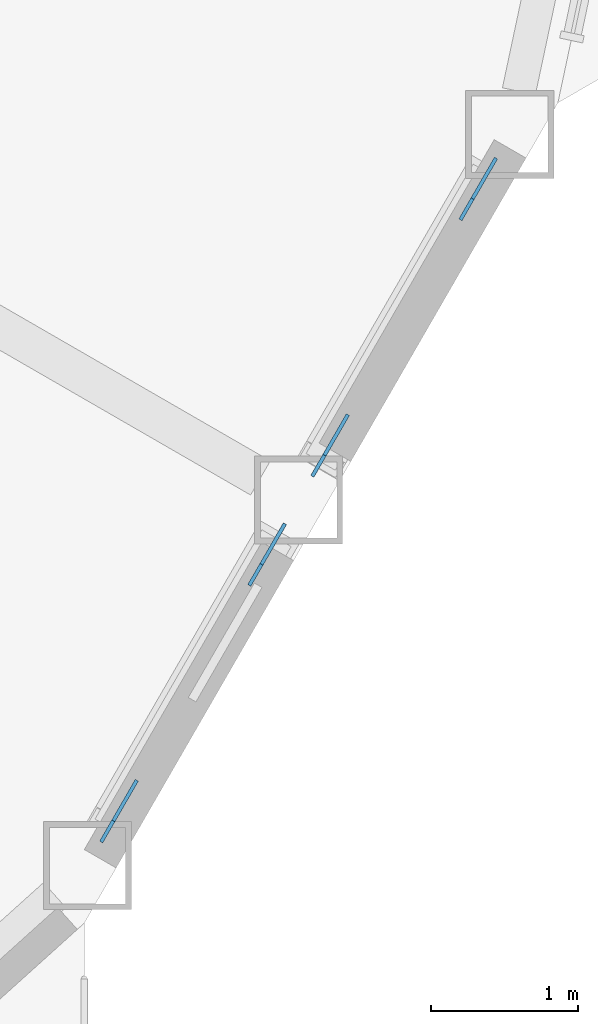
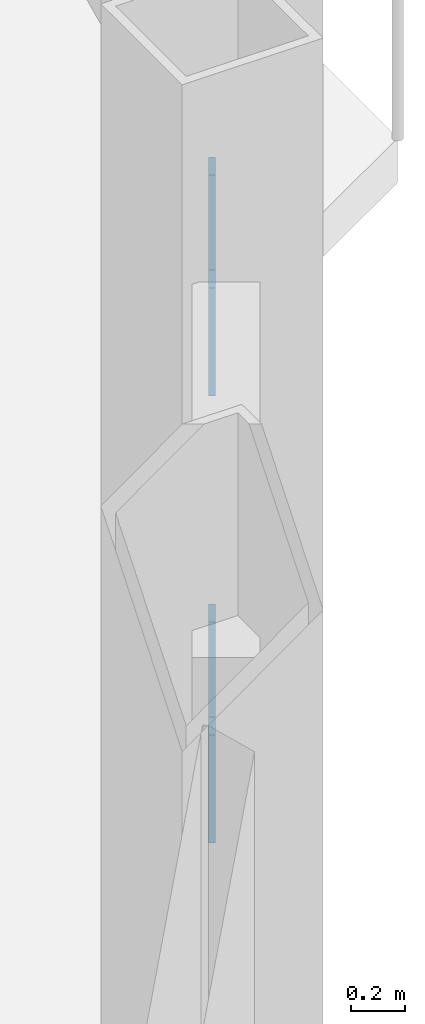
# One storey, part 20 of 26: 4 discrete accessories.
"""IFC4 building model written with IfcOpenShell, lengths in metres."""

from ifc_helpers import new_model, si_unit, direction, frame, origin, origin_2d, place, context, subcontext, project, spatial, rectangle, extrude, material, material_profile, profile_set, type_object, element, save


model = new_model("IFC4")

# Units and contexts
model_context = context("Model", 3, precision=1e-05, world=origin(), true_north=direction((0.0, 1.0)))
body_context = subcontext(model_context, "Body", "Model", "MODEL_VIEW")
ifc_project = project(units=[si_unit("LENGTHUNIT", "METRE"), si_unit("AREAUNIT", "SQUARE_METRE"), si_unit("VOLUMEUNIT", "CUBIC_METRE"), si_unit("PLANEANGLEUNIT", "RADIAN"), si_unit("MASSUNIT", "GRAM", prefix="KILO")], contexts=[model_context])

# Site, building, storey
site_placement = place(None, origin())
site = spatial("IfcSite", under=ifc_project, at=site_placement, CompositionType="ELEMENT")
building_placement = place(site_placement, origin())
building = spatial("IfcBuilding", under=site, at=building_placement, Name="Cormorant Prow Tower", CompositionType="ELEMENT")
storey_placement = place(building_placement, frame((0.0, 0.0, 325.60009765625)))
storey = spatial("IfcBuildingStorey", under=building, at=storey_placement, Name="L72", CompositionType="ELEMENT", Elevation=325.60009765625)

# Discrete accessories
ifc_material = material(Name="Structural steel ASTM A500 Gr C", Category="steel")
ifc_material_profile = material_profile(ifc_material, rectangle(XDim=0.02490234375, YDim=0.405029296875, at=origin_2d()), Name="Gusset plate 25x405")
ifc_profile_set = profile_set([ifc_material_profile], Name="Structural steel ASTM A500 Gr C")
discrete_accessory_type = type_object("IfcDiscreteAccessoryType", Name="Gusset plate 25x405", PredefinedType="BRACKET", material=ifc_profile_set)
discrete_accessory_1_placement = place(storey_placement, frame((27.137939453125, -16.34765625, 0.86376953125), z_axis=(0.456360760472, 0.789908839227, -0.4096082055), x_axis=(-0.865879799044, 0.500252110048, 0.0)))
element("IfcDiscreteAccessory", 1, at=discrete_accessory_1_placement, inside=storey, type_object=discrete_accessory_type, Name="Gusset plate GP3 L72.ESE00.g0", PredefinedType="BRACKET", context=body_context, shape_type="SweptSolid", body=[
    extrude(rectangle(XDim=0.02490234375, YDim=0.405029296875, at=origin_2d()), origin(), (0.0, 0.0, 1.0), 0.349853515625),
])
for number, where, z_axis, x_axis, name in (
    (2, (26.289794921875, -17.817138671875, 1.6240234375), (-0.456791619277, -0.790144892581, 0.408671586101), (0.865740004385, -0.50049400077, 0.0), "Gusset plate GP3 L72.ESE00.g1"),
    (3, (28.574951171875, -13.85888671875, 0.86376953125), (0.456109312262, 0.790171025676, -0.409382517274), (-0.866071029786, 0.499920965119, 0.0), "Gusset plate GP3 L72.ESE01.g0"),
):
    element("IfcDiscreteAccessory", number, at=place(storey_placement, frame(where, z_axis=z_axis, x_axis=x_axis)), inside=storey, type_object=discrete_accessory_type, Name=name, PredefinedType="BRACKET", context=body_context, shape_type="SweptSolid", body=[
        extrude(rectangle(XDim=0.02490234375, YDim=0.405029296875, at=origin_2d()), origin(), (0.0, 0.0, 1.0), 0.35009765625),
    ])
discrete_accessory_2_placement = place(storey_placement, frame((27.7265625, -15.328369140625, 1.6240234375), z_axis=(-0.456239480558, -0.790396531303, 0.408801736402), x_axis=(0.866071029786, -0.499920965119, 0.0)))
element("IfcDiscreteAccessory", 4, at=discrete_accessory_2_placement, inside=storey, type_object=discrete_accessory_type, Name="Gusset plate GP3 L72.ESE01.g1", PredefinedType="BRACKET", context=body_context, shape_type="SweptSolid", body=[
    extrude(rectangle(XDim=0.02490234375, YDim=0.405029296875, at=origin_2d()), origin(), (0.0, 0.0, 1.0), 0.349853515625),
])

save(model, "model.ifc")
